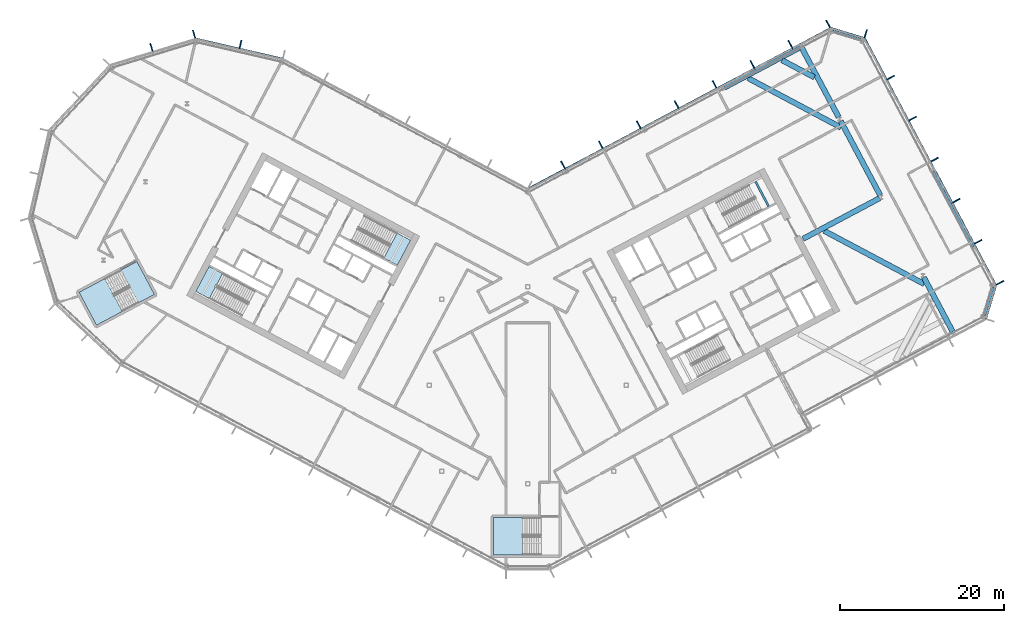
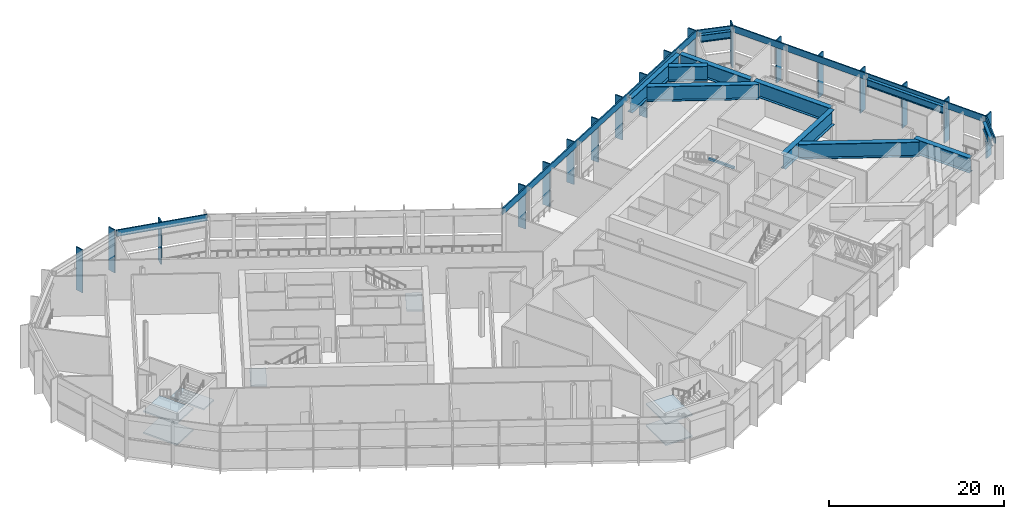
# One storey, part 11 of 33: 23 members, 12 beams, 7 slabs, 10 elements without a shape of their own.
"""IFC4 building model written with IfcOpenShell, lengths in metres."""

from ifc_helpers import new_model, si_unit, direction, frame, origin, origin_2d, place, context, subcontext, project, spatial, polyline, rectangle, i_section, outline, extrude, material, layer, layer_set, material_profile, profile_set, type_object, element, aggregate, save


model = new_model("IFC4")

# Units and contexts
model_context = context("Model", 3, precision=1e-05, world=origin(), true_north=direction((0.0, 1.0)))
body_context = subcontext(model_context, "Body", "Model", "MODEL_VIEW")
ifc_project = project(units=[si_unit("LENGTHUNIT", "METRE"), si_unit("AREAUNIT", "SQUARE_METRE"), si_unit("VOLUMEUNIT", "CUBIC_METRE"), si_unit("PLANEANGLEUNIT", "RADIAN"), si_unit("MASSUNIT", "GRAM", prefix="KILO")], contexts=[model_context])

# Site, building, storey
site_placement = place(None, origin())
site = spatial("IfcSite", under=ifc_project, at=site_placement, CompositionType="ELEMENT")
building_placement = place(site_placement, origin())
building = spatial("IfcBuilding", under=site, at=building_placement, Name="Cormorant Relay Tower", CompositionType="ELEMENT")
storey_placement = place(building_placement, frame((0.0, 0.0, 183.60009765625)))
storey = spatial("IfcBuildingStorey", under=building, at=storey_placement, Name="L39", CompositionType="ELEMENT", Elevation=183.60009765625)

# Curtain wall, members
ifc_material_1 = material(Name="Aluminium 6063-T6 anodised bronze", Category="aluminium")
ifc_layer_1 = layer(ifc_material_1, 0.199951171875)
ifc_layer_set_1 = layer_set([ifc_layer_1], Name="CW4 band louvre wall")
curtain_wall_type = type_object("IfcCurtainWallType", Name="CW4 band louvre wall", PredefinedType="NOTDEFINED", material=ifc_layer_set_1)
curtain_wall_1_placement = place(storey_placement, origin())
curtain_wall_1 = element("IfcCurtainWall", 1, at=curtain_wall_1_placement, inside=storey, type_object=curtain_wall_type, Name="CW4 curtain wall 6", PredefinedType="NOTDEFINED")
ifc_material_2 = material(Name="Aluminium 6063-T6 anodised bronze", Category="aluminium")
ifc_material_profile_1 = material_profile(ifc_material_2, rectangle(XDim=0.14990234375, YDim=1.0, at=origin_2d()), Name="AL 150x1000")
ifc_profile_set_1 = profile_set([ifc_material_profile_1], Name="Aluminium 6063-T6 anodised bronze")
member_type_1 = type_object("IfcMemberType", Name="CW4 bronze fin mullion 150 x 1000", PredefinedType="MULLION", material=ifc_profile_set_1)
member_1_placement = place(storey_placement, frame((57.57470703125, 12.491943359375, 0.0), z_axis=(0.0, 0.0, 1.0), x_axis=(-0.469471562786, 0.882947592859, 0.0)))
member_1 = element("IfcMember", 2, at=member_1_placement, type_object=member_type_1, Name="CW4 fin 6.1", PredefinedType="MULLION", context=body_context, shape_type="SweptSolid", body=[
    extrude(rectangle(XDim=0.14990234375, YDim=1.0, at=origin_2d()), origin(), (0.0, 0.0, 1.0), 6.0),
])
member_2_placement = place(storey_placement, frame((54.914306640625, 17.4951171875, 0.0), z_axis=(0.0, 0.0, 1.0), x_axis=(-0.469471562786, 0.882947592859, 0.0)))
member_2 = element("IfcMember", 3, at=member_2_placement, type_object=member_type_1, Name="CW4 fin 6.2", PredefinedType="MULLION", context=body_context, shape_type="SweptSolid", body=[
    extrude(rectangle(XDim=0.14990234375, YDim=1.0, at=origin_2d()), origin(), (0.0, 0.0, 1.0), 6.0),
])
member_3_placement = place(storey_placement, frame((52.25390625, 22.49853515625, 0.0), z_axis=(0.0, 0.0, 1.0), x_axis=(-0.469471562786, 0.882947592859, 0.0)))
member_3 = element("IfcMember", 4, at=member_3_placement, type_object=member_type_1, Name="CW4 fin 6.3", PredefinedType="MULLION", context=body_context, shape_type="SweptSolid", body=[
    extrude(rectangle(XDim=0.14990234375, YDim=1.0, at=origin_2d()), origin(), (0.0, 0.0, 1.0), 6.0),
])
member_4_placement = place(storey_placement, frame((49.59375, 27.501953125, 0.0), z_axis=(0.0, 0.0, 1.0), x_axis=(-0.469471562786, 0.882947592859, 0.0)))
member_4 = element("IfcMember", 5, at=member_4_placement, type_object=member_type_1, Name="CW4 fin 6.4", PredefinedType="MULLION", context=body_context, shape_type="SweptSolid", body=[
    extrude(rectangle(XDim=0.14990234375, YDim=1.0, at=origin_2d()), origin(), (0.0, 0.0, 1.0), 6.0),
])
member_5_placement = place(storey_placement, frame((46.933349609375, 32.50537109375, 0.0), z_axis=(0.0, 0.0, 1.0), x_axis=(-0.469471562786, 0.882947592859, 0.0)))
member_5 = element("IfcMember", 6, at=member_5_placement, type_object=member_type_1, Name="CW4 fin 6.5", PredefinedType="MULLION", context=body_context, shape_type="SweptSolid", body=[
    extrude(rectangle(XDim=0.14990234375, YDim=1.0, at=origin_2d()), origin(), (0.0, 0.0, 1.0), 6.0),
])
member_6_placement = place(storey_placement, frame((44.27294921875, 37.5087890625, 0.0), z_axis=(0.0, 0.0, 1.0), x_axis=(-0.469471562786, 0.882947592859, 0.0)))
member_6 = element("IfcMember", 7, at=member_6_placement, type_object=member_type_1, Name="CW4 fin 6.6", PredefinedType="MULLION", context=body_context, shape_type="SweptSolid", body=[
    extrude(rectangle(XDim=0.14990234375, YDim=1.0, at=origin_2d()), origin(), (0.0, 0.0, 1.0), 6.0),
])

# Curtain wall, member
curtain_wall_2_placement = place(storey_placement, origin())
curtain_wall_2 = element("IfcCurtainWall", 8, at=curtain_wall_2_placement, inside=storey, type_object=curtain_wall_type, Name="CW4 curtain wall 7", PredefinedType="NOTDEFINED")
member_7_placement = place(storey_placement, frame((41.19921875, 42.852783203125, 0.0), z_axis=(0.0, 0.0, 1.0), x_axis=(-0.956304755963, 0.292371704723, 0.0)))
member_7 = element("IfcMember", 9, at=member_7_placement, type_object=member_type_1, Name="CW4 fin 7.1", PredefinedType="MULLION", context=body_context, shape_type="SweptSolid", body=[
    extrude(rectangle(XDim=0.14990234375, YDim=1.0, at=origin_2d()), origin(), (0.0, 0.0, 1.0), 6.0),
])

# Curtain wall, members
curtain_wall_3_placement = place(storey_placement, origin())
curtain_wall_3 = element("IfcCurtainWall", 10, at=curtain_wall_3_placement, inside=storey, type_object=curtain_wall_type, Name="CW4 curtain wall 8", PredefinedType="NOTDEFINED")
member_8_placement = place(storey_placement, frame((36.608642578125, 44.0419921875, 0.0), z_axis=(0.0, 0.0, 1.0), x_axis=(-0.882947592859, -0.469471562786, 0.0)))
member_8 = element("IfcMember", 11, at=member_8_placement, type_object=member_type_1, Name="CW4 fin 8.1", PredefinedType="MULLION", context=body_context, shape_type="SweptSolid", body=[
    extrude(rectangle(XDim=0.14990234375, YDim=1.0, at=origin_2d()), origin(), (0.0, 0.0, 1.0), 6.0),
])
member_9_placement = place(storey_placement, frame((31.991455078125, 41.5869140625, 0.0), z_axis=(0.0, 0.0, 1.0), x_axis=(-0.882947592859, -0.469471562786, 0.0)))
member_9 = element("IfcMember", 12, at=member_9_placement, type_object=member_type_1, Name="CW4 fin 8.2", PredefinedType="MULLION", context=body_context, shape_type="SweptSolid", body=[
    extrude(rectangle(XDim=0.14990234375, YDim=1.0, at=origin_2d()), origin(), (0.0, 0.0, 1.0), 6.0),
])
member_10_placement = place(storey_placement, frame((27.37451171875, 39.132080078125, 0.0), z_axis=(0.0, 0.0, 1.0), x_axis=(-0.882947592859, -0.469471562786, 0.0)))
member_10 = element("IfcMember", 13, at=member_10_placement, type_object=member_type_1, Name="CW4 fin 8.3", PredefinedType="MULLION", context=body_context, shape_type="SweptSolid", body=[
    extrude(rectangle(XDim=0.14990234375, YDim=1.0, at=origin_2d()), origin(), (0.0, 0.0, 1.0), 6.0),
])
member_11_placement = place(storey_placement, frame((22.757080078125, 36.677001953125, 0.0), z_axis=(0.0, 0.0, 1.0), x_axis=(-0.882947592859, -0.469471562786, 0.0)))
member_11 = element("IfcMember", 14, at=member_11_placement, type_object=member_type_1, Name="CW4 fin 8.4", PredefinedType="MULLION", context=body_context, shape_type="SweptSolid", body=[
    extrude(rectangle(XDim=0.14990234375, YDim=1.0, at=origin_2d()), origin(), (0.0, 0.0, 1.0), 6.0),
])
member_12_placement = place(storey_placement, frame((18.139892578125, 34.221923828125, 0.0), z_axis=(0.0, 0.0, 1.0), x_axis=(-0.882947592859, -0.469471562786, 0.0)))
member_12 = element("IfcMember", 15, at=member_12_placement, type_object=member_type_1, Name="CW4 fin 8.5", PredefinedType="MULLION", context=body_context, shape_type="SweptSolid", body=[
    extrude(rectangle(XDim=0.14990234375, YDim=1.0, at=origin_2d()), origin(), (0.0, 0.0, 1.0), 6.0),
])
member_13_placement = place(storey_placement, frame((13.52294921875, 31.76708984375, 0.0), z_axis=(0.0, 0.0, 1.0), x_axis=(-0.882947592859, -0.469471562786, 0.0)))
member_13 = element("IfcMember", 16, at=member_13_placement, type_object=member_type_1, Name="CW4 fin 8.6", PredefinedType="MULLION", context=body_context, shape_type="SweptSolid", body=[
    extrude(rectangle(XDim=0.14990234375, YDim=1.0, at=origin_2d()), origin(), (0.0, 0.0, 1.0), 6.0),
])
member_14_placement = place(storey_placement, frame((8.90576171875, 29.31201171875, 0.0), z_axis=(0.0, 0.0, 1.0), x_axis=(-0.882947592859, -0.469471562786, 0.0)))
member_14 = element("IfcMember", 17, at=member_14_placement, type_object=member_type_1, Name="CW4 fin 8.7", PredefinedType="MULLION", context=body_context, shape_type="SweptSolid", body=[
    extrude(rectangle(XDim=0.14990234375, YDim=1.0, at=origin_2d()), origin(), (0.0, 0.0, 1.0), 6.0),
])
member_15_placement = place(storey_placement, frame((4.28857421875, 26.85693359375, 0.0), z_axis=(0.0, 0.0, 1.0), x_axis=(-0.882947592859, -0.469471562786, 0.0)))
member_15 = element("IfcMember", 18, at=member_15_placement, type_object=member_type_1, Name="CW4 fin 8.8", PredefinedType="MULLION", context=body_context, shape_type="SweptSolid", body=[
    extrude(rectangle(XDim=0.14990234375, YDim=1.0, at=origin_2d()), origin(), (0.0, 0.0, 1.0), 6.0),
])

# Curtain wall, member
curtain_wall_4_placement = place(storey_placement, origin())
curtain_wall_4 = element("IfcCurtainWall", 19, at=curtain_wall_4_placement, inside=storey, type_object=curtain_wall_type, Name="CW4 curtain wall 10", PredefinedType="NOTDEFINED")
member_16_placement = place(storey_placement, frame((-35.01220703125, 41.57275390625, 0.0), z_axis=(0.0, 0.0, 1.0), x_axis=(-0.974370064785, 0.224951054344, 0.0)))
member_16 = element("IfcMember", 20, at=member_16_placement, type_object=member_type_1, Name="CW4 fin 10.2", PredefinedType="MULLION", context=body_context, shape_type="SweptSolid", body=[
    extrude(rectangle(XDim=0.14990234375, YDim=1.0, at=origin_2d()), origin(), (0.0, 0.0, 1.0), 6.0),
])

# Curtain wall, members
curtain_wall_5_placement = place(storey_placement, origin())
curtain_wall_5 = element("IfcCurtainWall", 21, at=curtain_wall_5_placement, inside=storey, type_object=curtain_wall_type, Name="CW4 curtain wall 11", PredefinedType="NOTDEFINED")
member_17_placement = place(storey_placement, frame((-40.670166015625, 42.78271484375, 0.0), z_axis=(0.0, 0.0, 1.0), x_axis=(-0.956304755963, -0.292371704723, 0.0)))
member_17 = element("IfcMember", 22, at=member_17_placement, type_object=member_type_1, Name="CW4 fin 11.1", PredefinedType="MULLION", context=body_context, shape_type="SweptSolid", body=[
    extrude(rectangle(XDim=0.14990234375, YDim=1.0, at=origin_2d()), origin(), (0.0, 0.0, 1.0), 6.0),
])
member_18_placement = place(storey_placement, frame((-45.867919921875, 41.193603515625, 0.0), z_axis=(0.0, 0.0, 1.0), x_axis=(-0.956304755963, -0.292371704723, 0.0)))
member_18 = element("IfcMember", 23, at=member_18_placement, type_object=member_type_1, Name="CW4 fin 11.2", PredefinedType="MULLION", context=body_context, shape_type="SweptSolid", body=[
    extrude(rectangle(XDim=0.14990234375, YDim=1.0, at=origin_2d()), origin(), (0.0, 0.0, 1.0), 6.0),
])
aggregate(curtain_wall_5, [member_17, member_18])

# Curtain wall, member
curtain_wall_6_placement = place(storey_placement, origin())
curtain_wall_6 = element("IfcCurtainWall", 24, at=curtain_wall_6_placement, inside=storey, type_object=curtain_wall_type, Name="CW4 curtain wall 5", PredefinedType="NOTDEFINED")
ifc_material_3 = material(Name="Aluminium 6063-T6 anodised bronze", Category="aluminium")
ifc_material_profile_2 = material_profile(ifc_material_3, rectangle(XDim=0.159912109375, YDim=0.89990234375, at=origin_2d()), Name="AL 160x900")
ifc_profile_set_2 = profile_set([ifc_material_profile_2], Name="Aluminium 6063-T6 anodised bronze")
member_type_2 = type_object("IfcMemberType", Name="CW4 bronze transom 160 x 900", PredefinedType="USERDEFINED", material=ifc_profile_set_2)
member_19_placement = place(storey_placement, frame((55.830810546875, 8.07080078125, 5.5498046875), z_axis=(0.292374957137, 0.956303761594, 0.0), x_axis=(-0.956303761594, 0.292374957137, 0.0)))
member_19 = element("IfcMember", 25, at=member_19_placement, type_object=member_type_2, Name="CW4 transom 5", ObjectType="TRANSOM", PredefinedType="USERDEFINED", context=body_context, shape_type="SweptSolid", body=[
    extrude(rectangle(XDim=0.159912109375, YDim=0.89990234375, at=origin_2d()), origin(), (0.0, 0.0, 1.0), 4.24267578125),
])
aggregate(curtain_wall_6, [member_19])

# Member
member_20_placement = place(storey_placement, frame((57.0625, 12.219482421875, 5.5498046875), z_axis=(-0.469468277635, 0.882949339597, 0.0), x_axis=(-0.882949339597, -0.469468277635, 0.0)))
member_20 = element("IfcMember", 26, at=member_20_placement, type_object=member_type_2, Name="CW4 transom 6", ObjectType="TRANSOM", PredefinedType="USERDEFINED", context=body_context, shape_type="SweptSolid", body=[
    extrude(rectangle(XDim=0.159912109375, YDim=0.89990234375, at=origin_2d()), origin(), (0.0, 0.0, 1.0), 34.0),
])

aggregate(curtain_wall_1, [member_1, member_2, member_3, member_4, member_5, member_6, member_20])

member_21_placement = place(storey_placement, frame((41.02978515625, 42.298095703125, 5.5498046875), z_axis=(-0.956303761594, 0.292374957137, 0.0), x_axis=(-0.292374957137, -0.956303761594, 0.0)))
member_21 = element("IfcMember", 27, at=member_21_placement, type_object=member_type_2, Name="CW4 transom 7", ObjectType="TRANSOM", PredefinedType="USERDEFINED", context=body_context, shape_type="SweptSolid", body=[
    extrude(rectangle(XDim=0.159912109375, YDim=0.89990234375, at=origin_2d()), origin(), (0.0, 0.0, 1.0), 4.24267578125),
])

aggregate(curtain_wall_2, [member_7, member_21])

member_22_placement = place(storey_placement, frame((36.881103515625, 43.52978515625, 5.5498046875), z_axis=(-0.88294882701, -0.469469241677, 0.0), x_axis=(0.469469241677, -0.88294882701, 0.0)))
member_22 = element("IfcMember", 28, at=member_22_placement, type_object=member_type_2, Name="CW4 transom 8", ObjectType="TRANSOM", PredefinedType="USERDEFINED", context=body_context, shape_type="SweptSolid", body=[
    extrude(rectangle(XDim=0.159912109375, YDim=0.89990234375, at=origin_2d()), origin(), (0.0, 0.0, 1.0), 41.834228515625),
])

aggregate(curtain_wall_3, [member_8, member_9, member_10, member_11, member_12, member_13, member_14, member_15, member_22])

member_23_placement = place(storey_placement, frame((-29.8466796875, 39.784912109375, 5.5498046875), z_axis=(-0.974365070969, 0.224972683844, 0.0), x_axis=(-0.224972683844, -0.974365070969, 0.0)))
member_23 = element("IfcMember", 29, at=member_23_placement, type_object=member_type_2, Name="CW4 transom 10", ObjectType="TRANSOM", PredefinedType="USERDEFINED", context=body_context, shape_type="SweptSolid", body=[
    extrude(rectangle(XDim=0.159912109375, YDim=0.89990234375, at=origin_2d()), origin(), (0.0, 0.0, 1.0), 10.870361328125),
])

aggregate(curtain_wall_4, [member_16, member_23])

# Beams
ifc_material_4 = material(Name="Steel ASTM A992 (Fy 345 MPa)", Category="steel")
ifc_material_profile_3 = material_profile(ifc_material_4, i_section(OverallWidth=0.4013671875, OverallDepth=1.000732421875, WebThickness=0.01904296875, FlangeThickness=0.0361328125, FilletRadius=0.02978515625, at=origin_2d()), Name="W1000x371")
ifc_profile_set_3 = profile_set([ifc_material_profile_3], Name="Steel ASTM A992 (Fy 345 MPa)")
beam_type_1 = type_object("IfcBeamType", Name="Spandrel W1000x371", PredefinedType="SPANDREL", material=ifc_profile_set_3)
beam_1_placement = place(storey_placement, frame((55.62548828125, 8.495849609375, 5.049560546875), z_axis=(0.29237248799, 0.956304516494, 0.0), x_axis=(-0.956304516494, 0.29237248799, 0.0)))
element("IfcBeam", 30, at=beam_1_placement, inside=storey, type_object=beam_type_1, Name="Spandrel beam L39-004", PredefinedType="SPANDREL", context=body_context, shape_type="SweptSolid", body=[
    extrude(i_section(OverallWidth=0.4013671875, OverallDepth=1.000732421875, WebThickness=0.01904296875, FlangeThickness=0.0361328125, FilletRadius=0.02978515625, at=origin_2d()), origin(), (0.0, 0.0, 1.0), 3.585693359375),
])
beam_2_placement = place(storey_placement, frame((54.24169921875, 16.841796875, 5.049560546875), z_axis=(-0.469474218299, 0.882946180893, 0.0), x_axis=(-0.882946180893, -0.469474218299, 0.0)))
element("IfcBeam", 31, at=beam_2_placement, inside=storey, type_object=beam_type_1, Name="Spandrel beam L39-005", PredefinedType="SPANDREL", context=body_context, shape_type="SweptSolid", body=[
    extrude(i_section(OverallWidth=0.4013671875, OverallDepth=1.000732421875, WebThickness=0.01904296875, FlangeThickness=0.0361328125, FilletRadius=0.02978515625, at=origin_2d()), origin(), (0.0, 0.0, 1.0), 10.388671875),
])
beam_3_placement = place(storey_placement, frame((40.605224609375, 42.0927734375, 5.049560546875), z_axis=(-0.956311914022, 0.292348290742, 0.0), x_axis=(-0.292348290742, -0.956311914022, 0.0)))
element("IfcBeam", 32, at=beam_3_placement, inside=storey, type_object=beam_type_1, Name="Spandrel beam L39-006", PredefinedType="SPANDREL", context=body_context, shape_type="SweptSolid", body=[
    extrude(i_section(OverallWidth=0.4013671875, OverallDepth=1.000732421875, WebThickness=0.01904296875, FlangeThickness=0.0361328125, FilletRadius=0.02978515625, at=origin_2d()), origin(), (0.0, 0.0, 1.0), 3.585205078125),
])
ifc_material_5 = material(Name="Concrete 50 MPa", Category="concrete")
ifc_material_profile_4 = material_profile(ifc_material_5, rectangle(XDim=0.25, YDim=0.300048828125, at=origin_2d()), Name="RC 250x300")
ifc_profile_set_4 = profile_set([ifc_material_profile_4], Name="Concrete 50 MPa")
beam_type_2 = type_object("IfcBeamType", Name="Stair landing ledge beam 250x300", PredefinedType="BEAM", material=ifc_profile_set_4)
beam_4_placement = place(storey_placement, frame((29.373291015625, 21.79052734375, 2.64990234375), z_axis=(-0.469519084434, 0.88292232351, 0.0), x_axis=(-0.88292232351, -0.469519084434, 0.0)))
element("IfcBeam", 33, at=beam_4_placement, inside=storey, type_object=beam_type_2, Name="B2 landing ledge beam", PredefinedType="BEAM", context=body_context, shape_type="SweptSolid", body=[
    extrude(rectangle(XDim=0.25, YDim=0.300048828125, at=origin_2d()), origin(), (0.0, 0.0, 1.0), 3.449951171875),
])
ifc_material_6 = material(Name="Steel ASTM A572 Grade 50 (Fy 345 MPa)", Category="steel")
ifc_material_profile_5 = material_profile(ifc_material_6, i_section(OverallWidth=0.64990234375, OverallDepth=2.10009765625, WebThickness=0.028076171875, FlangeThickness=0.06005859375, at=origin_2d()), Name="PG2100x650")
ifc_profile_set_5 = profile_set([ifc_material_profile_5], Name="Steel ASTM A572 Grade 50 (Fy 345 MPa)")
beam_type_3 = type_object("IfcBeamType", Name="Transfer girder PG2100x650", PredefinedType="BEAM", material=ifc_profile_set_5)
beam_5_placement = place(storey_placement, frame((23.977783203125, 36.28466796875, 4.5), z_axis=(0.882965663635, 0.469437575021, 0.0), x_axis=(-0.469437575021, 0.882965663635, 0.0)))
element("IfcBeam", 34, at=beam_5_placement, inside=storey, type_object=beam_type_3, Name="Transfer girder L39-01", PredefinedType="BEAM", context=body_context, shape_type="SweptSolid", body=[
    extrude(i_section(OverallWidth=0.64990234375, OverallDepth=2.10009765625, WebThickness=0.028076171875, FlangeThickness=0.06005859375, at=origin_2d()), origin(), (0.0, 0.0, 1.0), 10.388427734375),
])
beam_6_placement = place(storey_placement, frame((37.8916015625, 32.68359375, 4.5), z_axis=(-0.469496119225, 0.882934535531, 0.0), x_axis=(-0.882934535531, -0.469496119225, 0.0)))
element("IfcBeam", 35, at=beam_6_placement, inside=storey, type_object=beam_type_3, Name="Transfer girder L39-04", PredefinedType="BEAM", context=body_context, shape_type="SweptSolid", body=[
    extrude(i_section(OverallWidth=0.64990234375, OverallDepth=2.10009765625, WebThickness=0.028076171875, FlangeThickness=0.06005859375, at=origin_2d()), origin(), (0.0, 0.0, 1.0), 9.494384765625),
])
beam_7_placement = place(storey_placement, frame((42.8759765625, 22.797119140625, 4.5), z_axis=(-0.882952527357, -0.469462282227, 0.0), x_axis=(0.469462282227, -0.882952527357, 0.0)))
element("IfcBeam", 36, at=beam_7_placement, inside=storey, type_object=beam_type_3, Name="Transfer girder L39-05", PredefinedType="BEAM", context=body_context, shape_type="SweptSolid", body=[
    extrude(i_section(OverallWidth=0.64990234375, OverallDepth=2.10009765625, WebThickness=0.028076171875, FlangeThickness=0.06005859375, at=origin_2d()), origin(), (0.0, 0.0, 1.0), 10.56005859375),
])
beam_8_placement = place(storey_placement, frame((42.961669921875, 23.1474609375, 4.5), z_axis=(-0.469436993472, 0.882965972821, 0.0), x_axis=(-0.882965972821, -0.469436993472, 0.0)))
element("IfcBeam", 37, at=beam_8_placement, inside=storey, type_object=beam_type_3, Name="Transfer girder L39-06", PredefinedType="BEAM", context=body_context, shape_type="SweptSolid", body=[
    extrude(i_section(OverallWidth=0.64990234375, OverallDepth=2.10009765625, WebThickness=0.028076171875, FlangeThickness=0.06005859375, at=origin_2d()), origin(), (0.0, 0.0, 1.0), 10.261962890625),
])
beam_9_placement = place(storey_placement, frame((51.802978515625, 6.519775390625, 4.5), z_axis=(-0.469537873161, 0.882912331813, 0.0), x_axis=(-0.882912331813, -0.469537873161, 0.0)))
element("IfcBeam", 38, at=beam_9_placement, inside=storey, type_object=beam_type_3, Name="Transfer girder L39-08", PredefinedType="BEAM", context=body_context, shape_type="SweptSolid", body=[
    extrude(i_section(OverallWidth=0.64990234375, OverallDepth=2.10009765625, WebThickness=0.028076171875, FlangeThickness=0.06005859375, at=origin_2d()), origin(), (0.0, 0.0, 1.0), 7.494140625),
])
beam_10_placement = place(storey_placement, frame((48.33203125, 12.3330078125, 4.5), z_axis=(-0.882947902769, 0.46947097993, 0.0), x_axis=(-0.46947097993, -0.882947902769, 0.0)))
element("IfcBeam", 39, at=beam_10_placement, inside=storey, type_object=beam_type_3, Name="Transfer girder L39-12", PredefinedType="BEAM", context=body_context, shape_type="SweptSolid", body=[
    extrude(i_section(OverallWidth=0.64990234375, OverallDepth=2.10009765625, WebThickness=0.028076171875, FlangeThickness=0.06005859375, at=origin_2d()), origin(), (0.0, 0.0, 1.0), 13.830322265625),
])
beam_11_placement = place(storey_placement, frame((38.19189453125, 31.4052734375, 4.5), z_axis=(-0.882949020306, 0.469468878139, 0.0), x_axis=(-0.469468878139, -0.882949020306, 0.0)))
element("IfcBeam", 40, at=beam_11_placement, inside=storey, type_object=beam_type_3, Name="Transfer girder L39-13", PredefinedType="BEAM", context=body_context, shape_type="SweptSolid", body=[
    extrude(i_section(OverallWidth=0.64990234375, OverallDepth=2.10009765625, WebThickness=0.028076171875, FlangeThickness=0.06005859375, at=origin_2d()), origin(), (0.0, 0.0, 1.0), 12.841796875),
])
beam_12_placement = place(storey_placement, frame((34.93701171875, 37.526611328125, 4.5), z_axis=(-0.882951232349, 0.469464717836, 0.0), x_axis=(-0.469464717836, -0.882951232349, 0.0)))
element("IfcBeam", 41, at=beam_12_placement, inside=storey, type_object=beam_type_3, Name="Transfer girder L39-14", PredefinedType="BEAM", context=body_context, shape_type="SweptSolid", body=[
    extrude(i_section(OverallWidth=0.64990234375, OverallDepth=2.10009765625, WebThickness=0.028076171875, FlangeThickness=0.06005859375, at=origin_2d()), origin(), (0.0, 0.0, 1.0), 4.47900390625),
])

# Stair, slab
ifc_material_7 = material(Name="Concrete 40 MPa", Category="concrete")
stair_type_1 = type_object("IfcStairType", Name="Exit stair 1500", PredefinedType="HALF_TURN_STAIR", material=ifc_material_7)
stair_1_placement = place(storey_placement, origin())
stair_1 = element("IfcStair", 42, at=stair_1_placement, inside=storey, type_object=stair_type_1, Name="L39 Stair", PredefinedType="HALF_TURN_STAIR")
ifc_material_8 = material(Name="Concrete 40 MPa", Category="concrete")
ifc_layer_2 = layer(ifc_material_8, 0.199951171875)
ifc_layer_set_2 = layer_set([ifc_layer_2], Name="Exit stair landing 200")
slab_type = type_object("IfcSlabType", Name="Exit stair landing 200", PredefinedType="LANDING", material=ifc_layer_set_2)
slab_1_placement = place(storey_placement, frame((0.0, 0.0, 2.7998046875)))
slab_1 = element("IfcSlab", 43, at=slab_1_placement, type_object=slab_type, Name="A1 landing 1", PredefinedType="LANDING", context=body_context, shape_type="SweptSolid", body=[
    extrude(outline(polyline([(-17.546142578125, 15.501953125), (-15.89501953125, 14.6240234375), (-14.275390625, 17.670166015625), (-15.926513671875, 18.548095703125), (-17.546142578125, 15.501953125)])), origin(), (0.0, 0.0, 1.0), 0.2001953125),
])
aggregate(stair_1, [slab_1])

stair_2_placement = place(storey_placement, origin())
stair_2 = element("IfcStair", 44, at=stair_2_placement, inside=storey, type_object=stair_type_1, Name="L39 Stair", PredefinedType="HALF_TURN_STAIR")
slab_2_placement = place(storey_placement, frame((0.0, 0.0, 2.7998046875)))
slab_2 = element("IfcSlab", 45, at=slab_2_placement, type_object=slab_type, Name="A2 landing 1", PredefinedType="LANDING", context=body_context, shape_type="SweptSolid", body=[
    extrude(outline(polyline([(-37.196533203125, 13.605224609375), (-38.84765625, 14.483154296875), (-40.467529296875, 11.43701171875), (-38.81640625, 10.55908203125), (-37.196533203125, 13.605224609375)])), origin(), (0.0, 0.0, 1.0), 0.2001953125),
])
aggregate(stair_2, [slab_2])

# Stair, slabs
ifc_material_9 = material(Name="Concrete 40 MPa", Category="concrete")
stair_type_2 = type_object("IfcStairType", Name="Remote exit stair 2200", PredefinedType="HALF_TURN_STAIR", material=ifc_material_9)
stair_3_placement = place(storey_placement, origin())
stair_3 = element("IfcStair", 46, at=stair_3_placement, inside=storey, type_object=stair_type_2, Name="L39 Stair", PredefinedType="HALF_TURN_STAIR")
slab_3_placement = place(storey_placement, frame((0.0, 0.0, 1.2998046875)))
slab_3 = element("IfcSlab", 47, at=slab_3_placement, type_object=slab_type, Name="RK1 landing 1", PredefinedType="LANDING", context=body_context, shape_type="SweptSolid", body=[
    extrude(outline(polyline([(-0.639892578125, -16.125), (-4.199951171875, -16.125), (-4.199951171875, -20.675048828125), (-0.639892578125, -20.675048828125), (-0.639892578125, -16.125)])), origin(), (0.0, 0.0, 1.0), 0.2001953125),
])
slab_4_placement = place(storey_placement, frame((0.0, 0.0, 4.2998046875)))
slab_4 = element("IfcSlab", 48, at=slab_4_placement, type_object=slab_type, Name="RK1 landing 3", PredefinedType="LANDING", context=body_context, shape_type="SweptSolid", body=[
    extrude(outline(polyline([(-0.639892578125, -16.125), (-4.199951171875, -16.125), (-4.199951171875, -20.675048828125), (-0.639892578125, -20.675048828125), (-0.639892578125, -16.125)])), origin(), (0.0, 0.0, 1.0), 0.2001953125),
])
aggregate(stair_3, [slab_3, slab_4])

stair_4_placement = place(storey_placement, origin())
stair_4 = element("IfcStair", 49, at=stair_4_placement, inside=storey, type_object=stair_type_2, Name="L39 Stair", PredefinedType="HALF_TURN_STAIR")
slab_5_placement = place(storey_placement, frame((0.0, 0.0, 1.2998046875)))
slab_5 = element("IfcSlab", 50, at=slab_5_placement, type_object=slab_type, Name="RP1 landing 1", PredefinedType="LANDING", context=body_context, shape_type="SweptSolid", body=[
    extrude(outline(polyline([(-51.556640625, 13.002197265625), (-54.699951171875, 11.330810546875), (-52.563720703125, 7.3134765625), (-49.42041015625, 8.984619140625), (-51.556640625, 13.002197265625)])), origin(), (0.0, 0.0, 1.0), 0.2001953125),
])
slab_6_placement = place(storey_placement, frame((0.0, 0.0, 2.7998046875)))
slab_6 = element("IfcSlab", 51, at=slab_6_placement, type_object=slab_type, Name="RP1 landing 2", PredefinedType="LANDING", context=body_context, shape_type="SweptSolid", body=[
    extrude(outline(polyline([(-47.63623046875, 15.086669921875), (-49.578857421875, 14.0537109375), (-47.442626953125, 10.036376953125), (-45.500244140625, 11.069091796875), (-47.63623046875, 15.086669921875)])), origin(), (0.0, 0.0, 1.0), 0.2001953125),
])
slab_7_placement = place(storey_placement, frame((0.0, 0.0, 4.2998046875)))
slab_7 = element("IfcSlab", 52, at=slab_7_placement, type_object=slab_type, Name="RP1 landing 3", PredefinedType="LANDING", context=body_context, shape_type="SweptSolid", body=[
    extrude(outline(polyline([(-51.556640625, 13.002197265625), (-54.699951171875, 11.330810546875), (-52.563720703125, 7.3134765625), (-49.42041015625, 8.984619140625), (-51.556640625, 13.002197265625)])), origin(), (0.0, 0.0, 1.0), 0.2001953125),
])
aggregate(stair_4, [slab_5, slab_6, slab_7])

save(model, "model.ifc")
